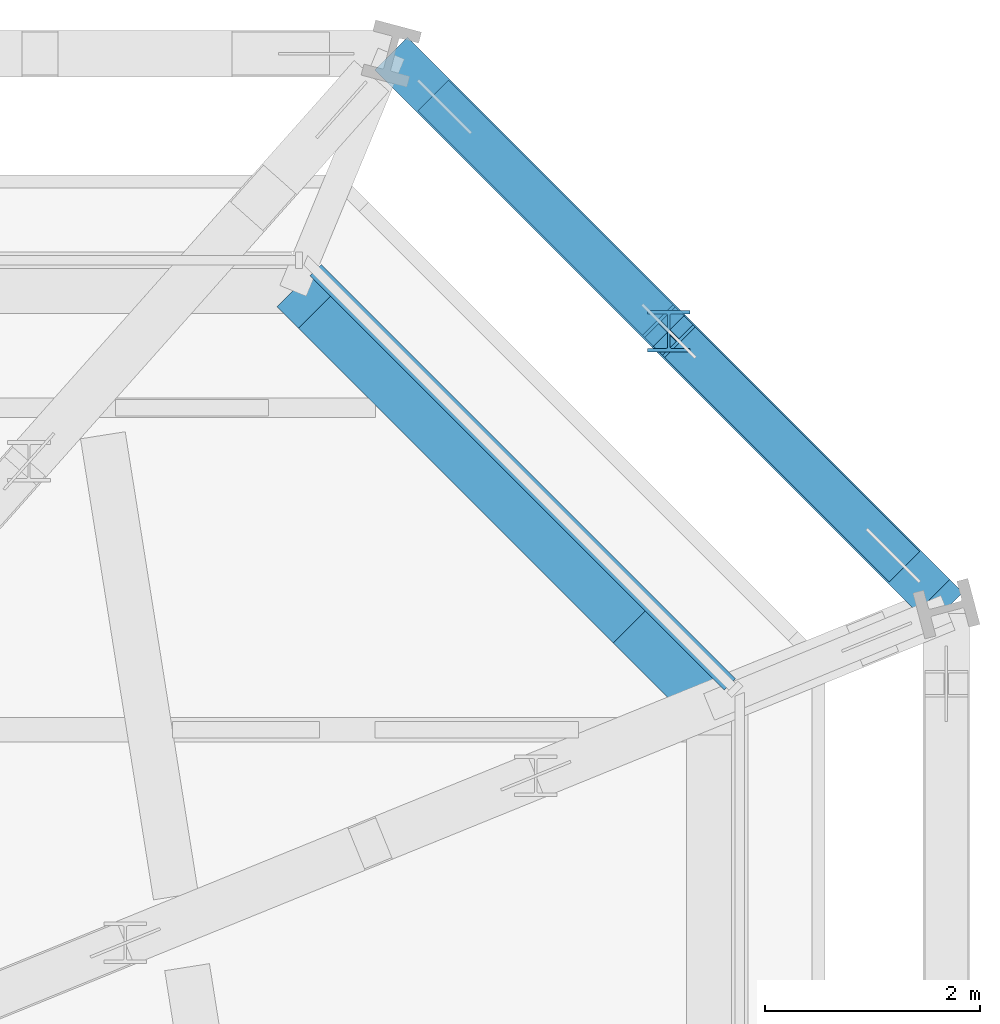
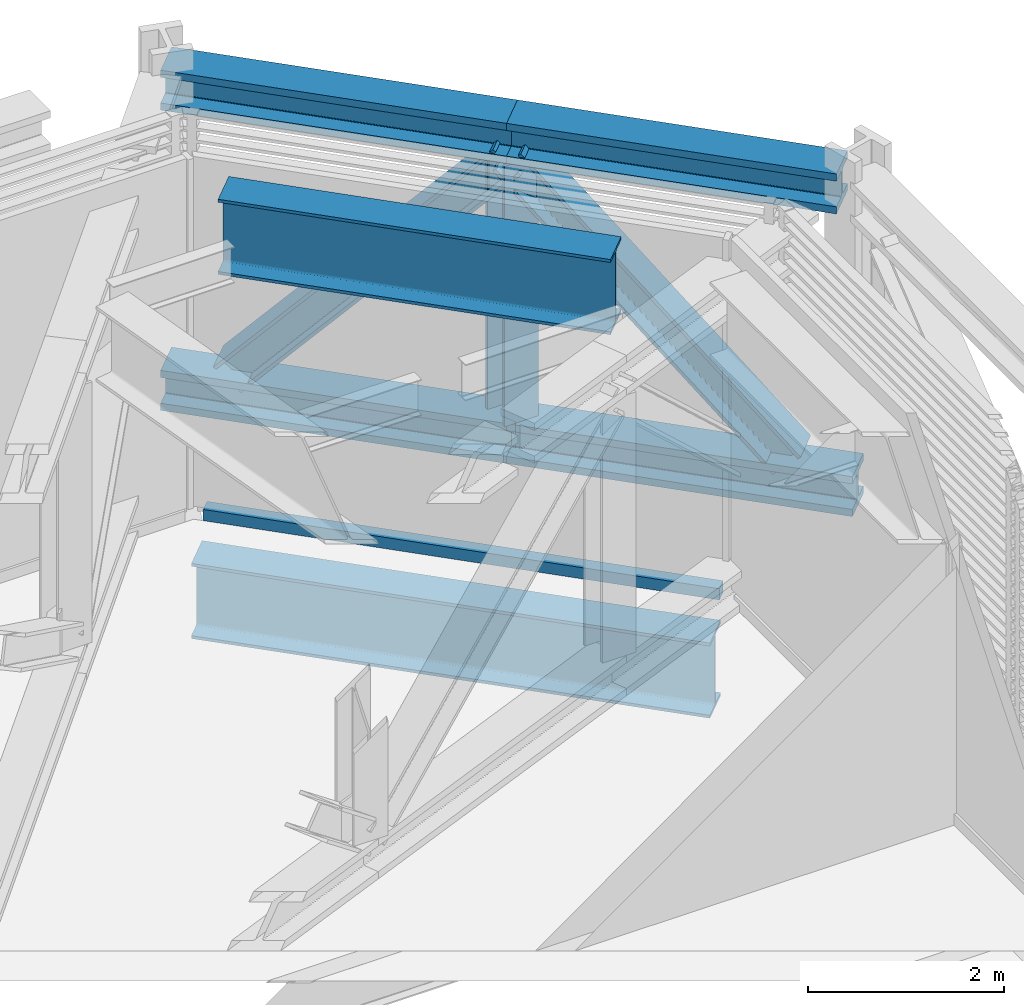
# One storey, part 19 of 31: 6 beams, 4 members, 1 element without a shape of its own.
"""IFC4 building model written with IfcOpenShell, lengths in metres."""

from ifc_helpers import new_model, si_unit, direction, frame, origin, origin_2d, place, context, subcontext, project, spatial, rectangle, i_section, extrude, material, layer, layer_set, material_profile, profile_set, type_object, element, aggregate, save


model = new_model("IFC4")

# Units and contexts
model_context = context("Model", 3, precision=1e-05, world=origin(), true_north=direction((0.0, 1.0)))
body_context = subcontext(model_context, "Body", "Model", "MODEL_VIEW")
ifc_project = project(units=[si_unit("LENGTHUNIT", "METRE"), si_unit("AREAUNIT", "SQUARE_METRE"), si_unit("VOLUMEUNIT", "CUBIC_METRE"), si_unit("PLANEANGLEUNIT", "RADIAN"), si_unit("MASSUNIT", "GRAM", prefix="KILO")], contexts=[model_context])

# Site, building, storey
site_placement = place(None, origin())
site = spatial("IfcSite", under=ifc_project, at=site_placement, CompositionType="ELEMENT")
building_placement = place(site_placement, origin())
building = spatial("IfcBuilding", under=site, at=building_placement, Name="Millrace Tower", CompositionType="ELEMENT")
storey_placement = place(building_placement, frame((0.0, 0.0, 120.39990234375)))
storey = spatial("IfcBuildingStorey", under=building, at=storey_placement, Name="L26", CompositionType="ELEMENT", Elevation=120.39990234375)

# Beams
ifc_material_1 = material(Name="Steel ASTM A992 Grade 50", Category="steel")
ifc_material_profile_1 = material_profile(ifc_material_1, i_section(OverallWidth=0.431884765625, OverallDepth=0.497802734375, WebThickness=0.0556640625, FlangeThickness=0.0888671875, FilletRadius=0.01513671875, at=origin_2d()))
ifc_profile_set_1 = profile_set([ifc_material_profile_1], Name="Steel ASTM A992 Grade 50")
beam_type_1 = type_object("IfcBeamType", Name="Belt truss chord W14x500", PredefinedType="BEAM", material=ifc_profile_set_1)
beam_1_placement = place(storey_placement, frame((30.199951171875, 16.12841796875, 0.2490234375), z_axis=(-0.707106781187, 0.707106781187, 0.0), x_axis=(-0.707106781187, -0.707106781187, 0.0)))
element("IfcBeam", 1, at=beam_1_placement, inside=storey, type_object=beam_type_1, Name="BLT-L26-R09-B01", PredefinedType="BEAM", context=body_context, shape_type="SweptSolid", body=[
    extrude(i_section(OverallWidth=0.431884765625, OverallDepth=0.497802734375, WebThickness=0.0556640625, FlangeThickness=0.0888671875, FilletRadius=0.01513671875, at=origin_2d()), origin(), (0.0, 0.0, 1.0), 3.65673828125),
])
for number, where, z_axis, x_axis, name in (
    (2, (27.6142578125, 18.714111328125, 0.2490234375), (-0.707106781187, 0.707106781187, 0.0), (-0.707106781187, -0.707106781187, 0.0), "BLT-L26-R09-B02"),
    (3, (27.6142578125, 18.714111328125, 3.9912109375), (-0.707106781187, 0.707106781187, 0.0), (-0.707106781187, -0.707106781187, 0.0), "BLT-L26-R09-T02"),
):
    element("IfcBeam", number, at=place(storey_placement, frame(where, z_axis=z_axis, x_axis=x_axis)), inside=storey, type_object=beam_type_1, Name=name, PredefinedType="BEAM", context=body_context, shape_type="SweptSolid", body=[
        extrude(i_section(OverallWidth=0.431884765625, OverallDepth=0.497802734375, WebThickness=0.0556640625, FlangeThickness=0.0888671875, FilletRadius=0.01513671875, at=origin_2d()), origin(), (0.0, 0.0, 1.0), 3.656982421875),
    ])
beam_2_placement = place(storey_placement, frame((30.080810546875, 16.24755859375, 3.9912109375), z_axis=(-0.707106781187, 0.707106781187, 0.0), x_axis=(-0.707106781187, -0.707106781187, 0.0)))
element("IfcBeam", 4, at=beam_2_placement, inside=storey, type_object=beam_type_1, Name="BLT-L26-R09-T01", PredefinedType="BEAM", context=body_context, shape_type="SweptSolid", body=[
    extrude(i_section(OverallWidth=0.431884765625, OverallDepth=0.497802734375, WebThickness=0.0556640625, FlangeThickness=0.0888671875, FilletRadius=0.01513671875, at=origin_2d()), origin(), (0.0, 0.0, 1.0), 3.48828125),
])

# Members
ifc_material_2 = material(Name="Steel ASTM A992 Grade 50", Category="steel")
ifc_material_profile_2 = material_profile(ifc_material_2, i_section(OverallWidth=0.4013671875, OverallDepth=0.398681640625, WebThickness=0.02490234375, FlangeThickness=0.03955078125, FilletRadius=0.01513671875, at=origin_2d()))
ifc_profile_set_2 = profile_set([ifc_material_profile_2], Name="Steel ASTM A992 Grade 50")
member_type_1 = type_object("IfcMemberType", Name="Belt truss diagonal W14x211", PredefinedType="BRACE", material=ifc_profile_set_2)
for number, where, z_axis, x_axis, name in (
    (5, (29.705078125, 16.623291015625, 0.498046875), (-0.476325620306, 0.476325620306, 0.739072260933), (-0.707106781187, -0.707106781187, 0.0), "BLT-L26-R09-D01"),
    (6, (25.5234375, 20.804931640625, 0.498046875), (0.476325620306, -0.476325620306, 0.739072260933), (0.707106781187, 0.707106781187, 0.0), "BLT-L26-R09-D02"),
):
    element("IfcMember", number, at=place(storey_placement, frame(where, z_axis=z_axis, x_axis=x_axis)), inside=storey, type_object=member_type_1, Name=name, PredefinedType="BRACE", context=body_context, shape_type="SweptSolid", body=[
        extrude(i_section(OverallWidth=0.4013671875, OverallDepth=0.398681640625, WebThickness=0.02490234375, FlangeThickness=0.03955078125, FilletRadius=0.01513671875, at=origin_2d()), origin(), (0.0, 0.0, 1.0), 4.389404296875),
    ])
ifc_material_3 = material(Name="Steel ASTM A992 Grade 50", Category="steel")
ifc_material_profile_3 = material_profile(ifc_material_3, i_section(OverallWidth=0.398681640625, OverallDepth=0.385986328125, WebThickness=0.02099609375, FlangeThickness=0.033203125, FilletRadius=0.01513671875, at=origin_2d()))
ifc_profile_set_3 = profile_set([ifc_material_profile_3], Name="Steel ASTM A992 Grade 50")
member_type_2 = type_object("IfcMemberType", Name="Belt truss post W14x176", PredefinedType="POST", material=ifc_profile_set_3)
member_1_placement = place(storey_placement, frame((27.6142578125, 18.714111328125, 0.498046875), z_axis=(0.0, 0.0, 1.0), x_axis=(1.0, 0.0, 0.0)))
element("IfcMember", 7, at=member_1_placement, inside=storey, type_object=member_type_2, Name="BLT-L26-R09-V01", PredefinedType="POST", context=body_context, shape_type="SweptSolid", body=[
    extrude(i_section(OverallWidth=0.398681640625, OverallDepth=0.385986328125, WebThickness=0.02099609375, FlangeThickness=0.033203125, FilletRadius=0.01513671875, at=origin_2d()), origin(), (0.0, 0.0, 1.0), 3.244140625),
])

# Curtain wall, member
ifc_material_4 = material(Name="Aluminium and glass", Category="aluminium")
ifc_layer = layer(ifc_material_4, 0.14990234375)
ifc_layer_set = layer_set([ifc_layer], Name="Aluminium and glass")
curtain_wall_type = type_object("IfcCurtainWallType", Name="CW-5 truss and plant storey louvred infill", PredefinedType="NOTDEFINED", material=ifc_layer_set)
curtain_wall_placement = place(storey_placement, origin())
curtain_wall = element("IfcCurtainWall", 8, at=curtain_wall_placement, inside=storey, type_object=curtain_wall_type, Name="Curtain wall B-F05 L26", PredefinedType="NOTDEFINED")
ifc_material_5 = material(Name="Aluminium", Category="aluminium")
ifc_material_profile_4 = material_profile(ifc_material_5, rectangle(XDim=0.14990234375, YDim=0.139892578125, at=origin_2d()))
ifc_profile_set_4 = profile_set([ifc_material_profile_4], Name="Aluminium")
member_type_3 = type_object("IfcMemberType", Name="CW-5 truss and plant storey louvred infill transom", PredefinedType="USERDEFINED", material=ifc_profile_set_4)
member_2_placement = place(storey_placement, frame((28.182373046875, 15.423828125, 0.070068359375), z_axis=(-0.707129151258, 0.707084410407, 0.0), x_axis=(-0.707084410407, -0.707129151258, 0.0)))
member_2 = element("IfcMember", 9, at=member_2_placement, type_object=member_type_3, Name="CW5 transom B-F05.1", ObjectType="TRANSOM", PredefinedType="USERDEFINED", context=body_context, shape_type="SweptSolid", body=[
    extrude(rectangle(XDim=0.14990234375, YDim=0.139892578125, at=origin_2d()), origin(), (0.0, 0.0, 1.0), 5.456787109375),
])
aggregate(curtain_wall, [member_2])

# Beams
ifc_material_6 = material(Name="Steel ASTM A992 Grade 50", Category="steel")
ifc_material_profile_5 = material_profile(ifc_material_6, i_section(OverallWidth=0.421630859375, OverallDepth=0.937255859375, WebThickness=0.021240234375, FlangeThickness=0.03662109375, FilletRadius=0.024169921875, at=origin_2d()))
ifc_profile_set_5 = profile_set([ifc_material_profile_5], Name="Steel ASTM A992 Grade 50")
beam_type_2 = type_object("IfcBeamType", Name="Ring beam short span W36x262", PredefinedType="SPANDREL", material=ifc_profile_set_5)
beam_3_placement = place(storey_placement, frame((24.11279296875, 19.089111328125, -0.718505859375), z_axis=(0.707106781187, -0.707106781187, 0.0), x_axis=(0.707106781187, 0.707106781187, 0.0)))
element("IfcBeam", 10, at=beam_3_placement, inside=storey, type_object=beam_type_2, Name="RNG-B-L26-S1-08", PredefinedType="SPANDREL", context=body_context, shape_type="SweptSolid", body=[
    extrude(i_section(OverallWidth=0.421630859375, OverallDepth=0.937255859375, WebThickness=0.021240234375, FlangeThickness=0.03662109375, FilletRadius=0.024169921875, at=origin_2d()), origin(), (0.0, 0.0, 1.0), 5.482177734375),
])
beam_4_placement = place(storey_placement, frame((24.312744140625, 18.88916015625, 3.87158203125), z_axis=(0.70707735335, -0.707136207799, 0.0), x_axis=(0.707136207799, 0.70707735335, 0.0)))
element("IfcBeam", 11, at=beam_4_placement, inside=storey, type_object=beam_type_2, Name="RNG-B-L26-R2-01", PredefinedType="SPANDREL", context=body_context, shape_type="SweptSolid", body=[
    extrude(i_section(OverallWidth=0.421630859375, OverallDepth=0.937255859375, WebThickness=0.021240234375, FlangeThickness=0.03662109375, FilletRadius=0.024169921875, at=origin_2d()), origin(), (0.0, 0.0, 1.0), 4.148193359375),
])

save(model, "model.ifc")
